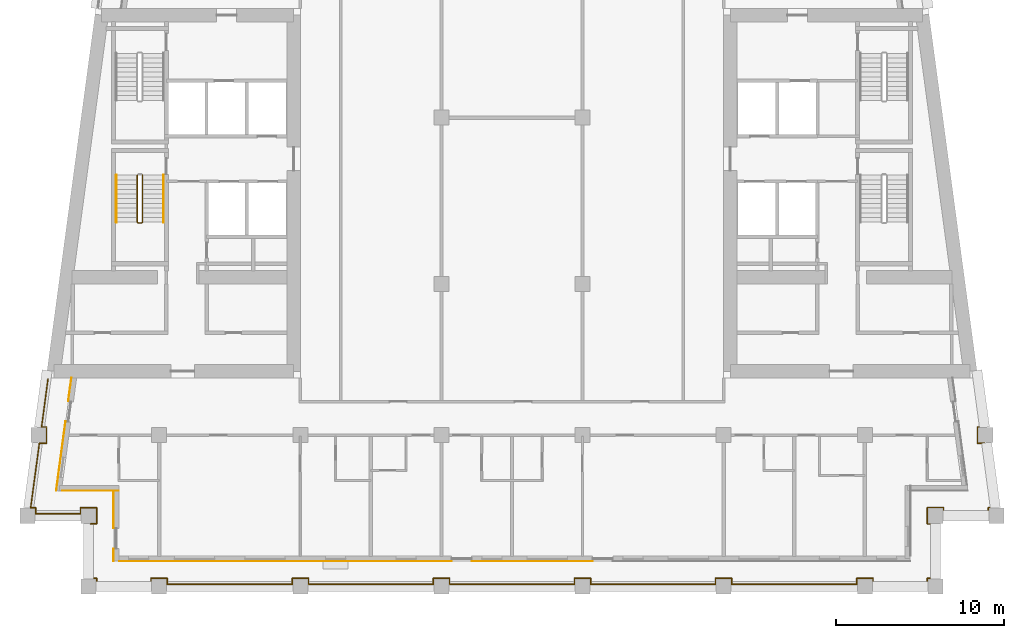
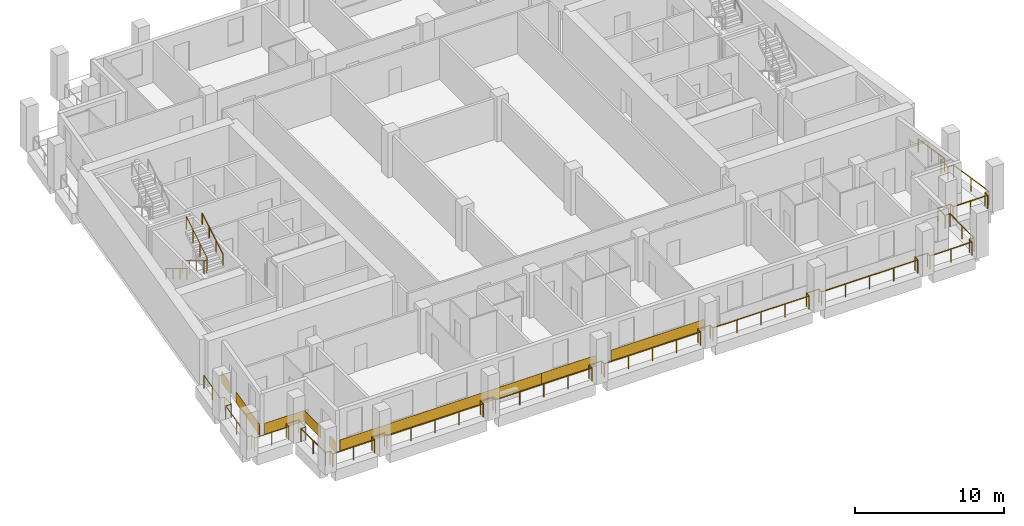
# One storey, part 8 of 12: 8 coverings, 5 railings.
"""IFC4 building model written with IfcOpenShell, lengths in metres."""

from ifc_helpers import new_model, si_unit, direction, frame, origin, origin_2d, place, context, subcontext, project, spatial, rectangle, circle, extrude, material, layer, layer_set, type_object, element, save


model = new_model("IFC4")

# Units and contexts
model_context = context("Model", 3, precision=1e-05, world=origin(), true_north=direction((0.0, 1.0)))
body_context = subcontext(model_context, "Body", "Model", "MODEL_VIEW")
ifc_project = project(units=[si_unit("LENGTHUNIT", "METRE"), si_unit("AREAUNIT", "SQUARE_METRE"), si_unit("VOLUMEUNIT", "CUBIC_METRE"), si_unit("PLANEANGLEUNIT", "RADIAN"), si_unit("MASSUNIT", "GRAM", prefix="KILO")], contexts=[model_context])

# Site, building, storey
site_placement = place(None, origin())
site = spatial("IfcSite", under=ifc_project, at=site_placement, CompositionType="ELEMENT")
building_placement = place(site_placement, origin())
building = spatial("IfcBuilding", under=site, at=building_placement, Name="Candeia Pilgrim Tower and Theatre", CompositionType="ELEMENT")
storey_placement = place(building_placement, frame((0.0, 0.0, 231.800048828125)))
storey = spatial("IfcBuildingStorey", under=building, at=storey_placement, Name="L56", CompositionType="ELEMENT", Elevation=231.800048828125)

# Railings
ifc_material_1 = material(Name="Stainless steel balustrade", Category="steel")
railing_type_1 = type_object("IfcRailingType", Name="G1 loggia guard 1100", PredefinedType="GUARDRAIL", material=ifc_material_1)
railing_1_placement = place(storey_placement, frame((88.320068359375, 101.719970703125, 0.0)))
element("IfcRailing", 1, at=railing_1_placement, inside=storey, type_object=railing_type_1, Name="Guard L56.1", PredefinedType="GUARDRAIL", context=body_context, shape_type="SweptSolid", body=[
    extrude(circle(Radius=0.02392578125, at=origin_2d()), frame((0.0, 0.0, 1.076171875), z_axis=(1.0, 0.0, 0.0), x_axis=(0.0, 1.0, 0.0)), (0.0, 0.0, 1.0), 0.35986328125),
    extrude(circle(Radius=0.02392578125, at=origin_2d()), frame((0.35986328125, 0.0, 1.076171875), z_axis=(0.0, 1.0, 0.0), x_axis=(-1.0, 0.0, 0.0)), (0.0, 0.0, 1.0), 0.9599609375),
    extrude(circle(Radius=0.02392578125, at=origin_2d()), frame((0.35986328125, 0.9599609375, 1.076171875), z_axis=(-1.0, 0.0, 0.0), x_axis=(0.0, -1.0, 0.0)), (0.0, 0.0, 1.0), 0.9599609375),
    extrude(circle(Radius=0.02392578125, at=origin_2d()), frame((-0.60009765625, 0.9599609375, 1.076171875), z_axis=(0.0, -1.0, 0.0), x_axis=(1.0, 0.0, 0.0)), (0.0, 0.0, 1.0), 0.35986328125),
    extrude(circle(Radius=0.02392578125, at=origin_2d()), frame((-0.60009765625, 0.60009765625, 1.076171875), z_axis=(-1.0, 0.0, 0.0), x_axis=(0.0, -1.0, 0.0)), (0.0, 0.0, 1.0), 2.674560546875),
    extrude(circle(Radius=0.02392578125, at=origin_2d()), frame((-3.274658203125, 0.60009765625, 1.076171875), z_axis=(0.0, 1.0, 0.0), x_axis=(-1.0, 0.0, 0.0)), (0.0, 0.0, 1.0), 0.35986328125),
    extrude(circle(Radius=0.02392578125, at=origin_2d()), frame((-3.274658203125, 0.9599609375, 1.076171875), z_axis=(-1.0, 0.0, 0.0), x_axis=(0.0, -1.0, 0.0)), (0.0, 0.0, 1.0), 0.29443359375),
    extrude(circle(Radius=0.02392578125, at=origin_2d()), frame((-3.569091796875, 0.9599609375, 1.076171875), z_axis=(0.133451286285, 0.991055373927, 0.0), x_axis=(-0.991055373927, 0.133451286285, 0.0)), (0.0, 0.0, 1.0), 3.874755859375),
    extrude(circle(Radius=0.02392578125, at=origin_2d()), frame((-3.052001953125, 4.800048828125, 1.076171875), z_axis=(1.0, 0.0, 0.0), x_axis=(0.0, 1.0, 0.0)), (0.0, 0.0, 1.0), 0.423583984375),
    extrude(circle(Radius=0.02392578125, at=origin_2d()), frame((-2.62841796875, 4.800048828125, 1.076171875), z_axis=(0.0, 1.0, 0.0), x_axis=(-1.0, 0.0, 0.0)), (0.0, 0.0, 1.0), 0.9599609375),
    extrude(circle(Radius=0.02392578125, at=origin_2d()), frame((-2.62841796875, 5.760009765625, 1.076171875), z_axis=(-1.0, 0.0, 0.0), x_axis=(0.0, -1.0, 0.0)), (0.0, 0.0, 1.0), 0.29443359375),
    extrude(circle(Radius=0.02392578125, at=origin_2d()), frame((-2.9228515625, 5.760009765625, 1.076171875), z_axis=(0.133450228179, 0.991055516406, 0.0), x_axis=(-0.991055516406, 0.133450228179, 0.0)), (0.0, 0.0, 1.0), 2.89599609375),
    extrude(circle(Radius=0.02099609375, at=origin_2d()), origin(), (0.0, 0.0, 1.0), 1.052001953125),
    extrude(circle(Radius=0.02099609375, at=origin_2d()), frame((0.35986328125, 0.0, 0.0)), (0.0, 0.0, 1.0), 1.052001953125),
    extrude(circle(Radius=0.02099609375, at=origin_2d()), frame((0.35986328125, 0.9599609375, 0.0)), (0.0, 0.0, 1.0), 1.052001953125),
    extrude(circle(Radius=0.02099609375, at=origin_2d()), frame((-0.60009765625, 0.9599609375, 0.0)), (0.0, 0.0, 1.0), 1.052001953125),
    extrude(circle(Radius=0.02099609375, at=origin_2d()), frame((-0.60009765625, 0.60009765625, 0.0)), (0.0, 0.0, 1.0), 1.052001953125),
    extrude(circle(Radius=0.02099609375, at=origin_2d()), frame((-1.9375, 0.60009765625, 0.0)), (0.0, 0.0, 1.0), 1.052001953125),
    extrude(circle(Radius=0.02099609375, at=origin_2d()), frame((-3.274658203125, 0.60009765625, 0.0)), (0.0, 0.0, 1.0), 1.052001953125),
    extrude(circle(Radius=0.02099609375, at=origin_2d()), frame((-3.274658203125, 0.9599609375, 0.0)), (0.0, 0.0, 1.0), 1.052001953125),
    extrude(circle(Radius=0.02099609375, at=origin_2d()), frame((-3.569091796875, 0.9599609375, 0.0)), (0.0, 0.0, 1.0), 1.052001953125),
    extrude(circle(Radius=0.02099609375, at=origin_2d()), frame((-3.310546875, 2.8798828125, 0.0)), (0.0, 0.0, 1.0), 1.052001953125),
    extrude(circle(Radius=0.02099609375, at=origin_2d()), frame((-3.052001953125, 4.800048828125, 0.0)), (0.0, 0.0, 1.0), 1.052001953125),
    extrude(circle(Radius=0.02099609375, at=origin_2d()), frame((-2.62841796875, 4.800048828125, 0.0)), (0.0, 0.0, 1.0), 1.052001953125),
    extrude(circle(Radius=0.02099609375, at=origin_2d()), frame((-2.62841796875, 5.760009765625, 0.0)), (0.0, 0.0, 1.0), 1.052001953125),
    extrude(circle(Radius=0.02099609375, at=origin_2d()), frame((-2.9228515625, 5.760009765625, 0.0)), (0.0, 0.0, 1.0), 1.052001953125),
    extrude(circle(Radius=0.02099609375, at=origin_2d()), frame((-2.7294921875, 7.195068359375, 0.0)), (0.0, 0.0, 1.0), 1.052001953125),
    extrude(circle(Radius=0.02099609375, at=origin_2d()), frame((-2.536376953125, 8.630126953125, 0.0)), (0.0, 0.0, 1.0), 1.052001953125),
])
railing_2_placement = place(storey_placement, frame((141.016357421875, 110.35009765625, 0.0)))
element("IfcRailing", 2, at=railing_2_placement, inside=storey, type_object=railing_type_1, Name="Guard L56.4", PredefinedType="GUARDRAIL", context=body_context, shape_type="SweptSolid", body=[
    extrude(circle(Radius=0.02392578125, at=origin_2d()), frame((0.0, 0.0, 1.076171875), z_axis=(0.133450228179, -0.991055516406, 0.0), x_axis=(0.991055516406, 0.133450228179, 0.0)), (0.0, 0.0, 1.0), 2.89599609375),
    extrude(circle(Radius=0.02392578125, at=origin_2d()), frame((0.386474609375, -2.8701171875, 1.076171875), z_axis=(-1.0, 0.0, 0.0), x_axis=(0.0, -1.0, 0.0)), (0.0, 0.0, 1.0), 0.29443359375),
    extrude(circle(Radius=0.02392578125, at=origin_2d()), frame((0.092041015625, -2.8701171875, 1.076171875), z_axis=(0.0, -1.0, 0.0), x_axis=(1.0, 0.0, 0.0)), (0.0, 0.0, 1.0), 0.9599609375),
    extrude(circle(Radius=0.02392578125, at=origin_2d()), frame((0.092041015625, -3.830078125, 1.076171875), z_axis=(1.0, 0.0, 0.0), x_axis=(0.0, 1.0, 0.0)), (0.0, 0.0, 1.0), 0.423583984375),
    extrude(circle(Radius=0.02392578125, at=origin_2d()), frame((0.515625, -3.830078125, 1.076171875), z_axis=(0.133389399471, -0.991063705374, 0.0), x_axis=(0.991063705374, 0.133389399471, 0.0)), (0.0, 0.0, 1.0), 3.874755859375),
    extrude(circle(Radius=0.02392578125, at=origin_2d()), frame((1.032470703125, -7.670166015625, 1.076171875), z_axis=(-1.0, 0.0, 0.0), x_axis=(0.0, -1.0, 0.0)), (0.0, 0.0, 1.0), 0.294189453125),
    extrude(circle(Radius=0.02392578125, at=origin_2d()), frame((0.73828125, -7.670166015625, 1.076171875), z_axis=(0.0, -1.0, 0.0), x_axis=(1.0, 0.0, 0.0)), (0.0, 0.0, 1.0), 0.35986328125),
    extrude(circle(Radius=0.02392578125, at=origin_2d()), frame((0.73828125, -8.030029296875, 1.076171875), z_axis=(-1.0, 0.0, 0.0), x_axis=(0.0, -1.0, 0.0)), (0.0, 0.0, 1.0), 2.674560546875),
    extrude(circle(Radius=0.02392578125, at=origin_2d()), frame((-1.936279296875, -8.030029296875, 1.076171875), z_axis=(0.0, 1.0, 0.0), x_axis=(-1.0, 0.0, 0.0)), (0.0, 0.0, 1.0), 0.35986328125),
    extrude(circle(Radius=0.02392578125, at=origin_2d()), frame((-1.936279296875, -7.670166015625, 1.076171875), z_axis=(-1.0, 0.0, 0.0), x_axis=(0.0, -1.0, 0.0)), (0.0, 0.0, 1.0), 0.9599609375),
    extrude(circle(Radius=0.02392578125, at=origin_2d()), frame((-2.896240234375, -7.670166015625, 1.076171875), z_axis=(0.0, -1.0, 0.0), x_axis=(1.0, 0.0, 0.0)), (0.0, 0.0, 1.0), 0.9599609375),
    extrude(circle(Radius=0.02392578125, at=origin_2d()), frame((-2.896240234375, -8.630126953125, 1.076171875), z_axis=(1.0, 0.0, 0.0), x_axis=(0.0, 1.0, 0.0)), (0.0, 0.0, 1.0), 0.35986328125),
    extrude(circle(Radius=0.02392578125, at=origin_2d()), frame((-2.536376953125, -8.630126953125, 1.076171875), z_axis=(0.0, -1.0, 0.0), x_axis=(1.0, 0.0, 0.0)), (0.0, 0.0, 1.0), 3.239990234375),
    extrude(circle(Radius=0.02392578125, at=origin_2d()), frame((-2.536376953125, -11.8701171875, 1.076171875), z_axis=(-1.0, 0.0, 0.0), x_axis=(0.0, -1.0, 0.0)), (0.0, 0.0, 1.0), 0.35986328125),
    extrude(circle(Radius=0.02392578125, at=origin_2d()), frame((-2.896240234375, -11.8701171875, 1.076171875), z_axis=(0.0, -1.0, 0.0), x_axis=(1.0, 0.0, 0.0)), (0.0, 0.0, 1.0), 0.35986328125),
    extrude(circle(Radius=0.02392578125, at=origin_2d()), frame((-2.896240234375, -12.22998046875, 1.076171875), z_axis=(-1.0, 0.0, 0.0), x_axis=(0.0, -1.0, 0.0)), (0.0, 0.0, 1.0), 3.240234375),
    extrude(circle(Radius=0.02392578125, at=origin_2d()), frame((-6.136474609375, -12.22998046875, 1.076171875), z_axis=(0.0, 1.0, 0.0), x_axis=(-1.0, 0.0, 0.0)), (0.0, 0.0, 1.0), 0.35986328125),
    extrude(circle(Radius=0.02392578125, at=origin_2d()), frame((-6.136474609375, -11.8701171875, 1.076171875), z_axis=(-1.0, 0.0, 0.0), x_axis=(0.0, -1.0, 0.0)), (0.0, 0.0, 1.0), 0.9599609375),
    extrude(circle(Radius=0.02392578125, at=origin_2d()), frame((-7.096435546875, -11.8701171875, 1.076171875), z_axis=(0.0, -1.0, 0.0), x_axis=(1.0, 0.0, 0.0)), (0.0, 0.0, 1.0), 0.35986328125),
    extrude(circle(Radius=0.02392578125, at=origin_2d()), frame((-7.096435546875, -12.22998046875, 1.076171875), z_axis=(-1.0, 0.0, 0.0), x_axis=(0.0, -1.0, 0.0)), (0.0, 0.0, 1.0), 7.43994140625),
    extrude(circle(Radius=0.02392578125, at=origin_2d()), frame((-14.536376953125, -12.22998046875, 1.076171875), z_axis=(0.0, 1.0, 0.0), x_axis=(-1.0, 0.0, 0.0)), (0.0, 0.0, 1.0), 0.35986328125),
    extrude(circle(Radius=0.02392578125, at=origin_2d()), frame((-14.536376953125, -11.8701171875, 1.076171875), z_axis=(-1.0, 0.0, 0.0), x_axis=(0.0, -1.0, 0.0)), (0.0, 0.0, 1.0), 0.9599609375),
    extrude(circle(Radius=0.02392578125, at=origin_2d()), frame((-15.496337890625, -11.8701171875, 1.076171875), z_axis=(0.0, -1.0, 0.0), x_axis=(1.0, 0.0, 0.0)), (0.0, 0.0, 1.0), 0.35986328125),
    extrude(circle(Radius=0.02392578125, at=origin_2d()), frame((-15.496337890625, -12.22998046875, 1.076171875), z_axis=(-1.0, 0.0, 0.0), x_axis=(0.0, -1.0, 0.0)), (0.0, 0.0, 1.0), 7.43994140625),
    extrude(circle(Radius=0.02392578125, at=origin_2d()), frame((-22.936279296875, -12.22998046875, 1.076171875), z_axis=(0.0, 1.0, 0.0), x_axis=(-1.0, 0.0, 0.0)), (0.0, 0.0, 1.0), 0.35986328125),
    extrude(circle(Radius=0.02392578125, at=origin_2d()), frame((-22.936279296875, -11.8701171875, 1.076171875), z_axis=(-1.0, 0.0, 0.0), x_axis=(0.0, -1.0, 0.0)), (0.0, 0.0, 1.0), 0.9599609375),
    extrude(circle(Radius=0.02392578125, at=origin_2d()), frame((-23.896240234375, -11.8701171875, 1.076171875), z_axis=(0.0, -1.0, 0.0), x_axis=(1.0, 0.0, 0.0)), (0.0, 0.0, 1.0), 0.35986328125),
    extrude(circle(Radius=0.02392578125, at=origin_2d()), frame((-23.896240234375, -12.22998046875, 1.076171875), z_axis=(-1.0, 0.0, 0.0), x_axis=(0.0, -1.0, 0.0)), (0.0, 0.0, 1.0), 7.440185546875),
    extrude(circle(Radius=0.02392578125, at=origin_2d()), frame((-31.33642578125, -12.22998046875, 1.076171875), z_axis=(0.0, 1.0, 0.0), x_axis=(-1.0, 0.0, 0.0)), (0.0, 0.0, 1.0), 0.35986328125),
    extrude(circle(Radius=0.02392578125, at=origin_2d()), frame((-31.33642578125, -11.8701171875, 1.076171875), z_axis=(-1.0, 0.0, 0.0), x_axis=(0.0, -1.0, 0.0)), (0.0, 0.0, 1.0), 0.9599609375),
    extrude(circle(Radius=0.02392578125, at=origin_2d()), frame((-32.29638671875, -11.8701171875, 1.076171875), z_axis=(0.0, -1.0, 0.0), x_axis=(1.0, 0.0, 0.0)), (0.0, 0.0, 1.0), 0.35986328125),
    extrude(circle(Radius=0.02392578125, at=origin_2d()), frame((-32.29638671875, -12.22998046875, 1.076171875), z_axis=(-1.0, 0.0, 0.0), x_axis=(0.0, -1.0, 0.0)), (0.0, 0.0, 1.0), 7.43994140625),
    extrude(circle(Radius=0.02392578125, at=origin_2d()), frame((-39.736328125, -12.22998046875, 1.076171875), z_axis=(0.0, 1.0, 0.0), x_axis=(-1.0, 0.0, 0.0)), (0.0, 0.0, 1.0), 0.35986328125),
    extrude(circle(Radius=0.02392578125, at=origin_2d()), frame((-39.736328125, -11.8701171875, 1.076171875), z_axis=(-1.0, 0.0, 0.0), x_axis=(0.0, -1.0, 0.0)), (0.0, 0.0, 1.0), 0.9599609375),
    extrude(circle(Radius=0.02392578125, at=origin_2d()), frame((-40.6962890625, -11.8701171875, 1.076171875), z_axis=(0.0, -1.0, 0.0), x_axis=(1.0, 0.0, 0.0)), (0.0, 0.0, 1.0), 0.35986328125),
    extrude(circle(Radius=0.02392578125, at=origin_2d()), frame((-40.6962890625, -12.22998046875, 1.076171875), z_axis=(-1.0, 0.0, 0.0), x_axis=(0.0, -1.0, 0.0)), (0.0, 0.0, 1.0), 7.440185546875),
    extrude(circle(Radius=0.02392578125, at=origin_2d()), frame((-48.136474609375, -12.22998046875, 1.076171875), z_axis=(0.0, 1.0, 0.0), x_axis=(-1.0, 0.0, 0.0)), (0.0, 0.0, 1.0), 0.35986328125),
    extrude(circle(Radius=0.02392578125, at=origin_2d()), frame((-48.136474609375, -11.8701171875, 1.076171875), z_axis=(-1.0, 0.0, 0.0), x_axis=(0.0, -1.0, 0.0)), (0.0, 0.0, 1.0), 0.9599609375),
    extrude(circle(Radius=0.02392578125, at=origin_2d()), frame((-49.096435546875, -11.8701171875, 1.076171875), z_axis=(0.0, -1.0, 0.0), x_axis=(1.0, 0.0, 0.0)), (0.0, 0.0, 1.0), 0.35986328125),
    extrude(circle(Radius=0.02392578125, at=origin_2d()), frame((-49.096435546875, -12.22998046875, 1.076171875), z_axis=(-1.0, 0.0, 0.0), x_axis=(0.0, -1.0, 0.0)), (0.0, 0.0, 1.0), 3.239990234375),
    extrude(circle(Radius=0.02392578125, at=origin_2d()), frame((-52.33642578125, -12.22998046875, 1.076171875), z_axis=(0.0, 1.0, 0.0), x_axis=(-1.0, 0.0, 0.0)), (0.0, 0.0, 1.0), 0.35986328125),
    extrude(circle(Radius=0.02392578125, at=origin_2d()), frame((-52.33642578125, -11.8701171875, 1.076171875), z_axis=(-1.0, 0.0, 0.0), x_axis=(0.0, -1.0, 0.0)), (0.0, 0.0, 1.0), 0.35986328125),
    extrude(circle(Radius=0.02392578125, at=origin_2d()), frame((-52.6962890625, -11.8701171875, 1.076171875), z_axis=(0.0, 1.0, 0.0), x_axis=(-1.0, 0.0, 0.0)), (0.0, 0.0, 1.0), 3.239990234375),
    extrude(circle(Radius=0.02099609375, at=origin_2d()), origin(), (0.0, 0.0, 1.0), 1.052001953125),
    extrude(circle(Radius=0.02099609375, at=origin_2d()), frame((0.193359375, -1.43505859375, 0.0)), (0.0, 0.0, 1.0), 1.052001953125),
    extrude(circle(Radius=0.02099609375, at=origin_2d()), frame((0.386474609375, -2.8701171875, 0.0)), (0.0, 0.0, 1.0), 1.052001953125),
    extrude(circle(Radius=0.02099609375, at=origin_2d()), frame((0.092041015625, -2.8701171875, 0.0)), (0.0, 0.0, 1.0), 1.052001953125),
    extrude(circle(Radius=0.02099609375, at=origin_2d()), frame((0.092041015625, -3.830078125, 0.0)), (0.0, 0.0, 1.0), 1.052001953125),
    extrude(circle(Radius=0.02099609375, at=origin_2d()), frame((0.515625, -3.830078125, 0.0)), (0.0, 0.0, 1.0), 1.052001953125),
    extrude(circle(Radius=0.02099609375, at=origin_2d()), frame((0.77392578125, -5.75, 0.0)), (0.0, 0.0, 1.0), 1.052001953125),
    extrude(circle(Radius=0.02099609375, at=origin_2d()), frame((1.032470703125, -7.670166015625, 0.0)), (0.0, 0.0, 1.0), 1.052001953125),
    extrude(circle(Radius=0.02099609375, at=origin_2d()), frame((0.73828125, -7.670166015625, 0.0)), (0.0, 0.0, 1.0), 1.052001953125),
    extrude(circle(Radius=0.02099609375, at=origin_2d()), frame((0.73828125, -8.030029296875, 0.0)), (0.0, 0.0, 1.0), 1.052001953125),
    extrude(circle(Radius=0.02099609375, at=origin_2d()), frame((-0.59912109375, -8.030029296875, 0.0)), (0.0, 0.0, 1.0), 1.052001953125),
    extrude(circle(Radius=0.02099609375, at=origin_2d()), frame((-1.936279296875, -8.030029296875, 0.0)), (0.0, 0.0, 1.0), 1.052001953125),
    extrude(circle(Radius=0.02099609375, at=origin_2d()), frame((-1.936279296875, -7.670166015625, 0.0)), (0.0, 0.0, 1.0), 1.052001953125),
    extrude(circle(Radius=0.02099609375, at=origin_2d()), frame((-2.896240234375, -7.670166015625, 0.0)), (0.0, 0.0, 1.0), 1.052001953125),
    extrude(circle(Radius=0.02099609375, at=origin_2d()), frame((-2.896240234375, -8.630126953125, 0.0)), (0.0, 0.0, 1.0), 1.052001953125),
    extrude(circle(Radius=0.02099609375, at=origin_2d()), frame((-2.536376953125, -8.630126953125, 0.0)), (0.0, 0.0, 1.0), 1.052001953125),
    extrude(circle(Radius=0.02099609375, at=origin_2d()), frame((-2.536376953125, -10.25, 0.0)), (0.0, 0.0, 1.0), 1.052001953125),
    extrude(circle(Radius=0.02099609375, at=origin_2d()), frame((-2.536376953125, -11.8701171875, 0.0)), (0.0, 0.0, 1.0), 1.052001953125),
    extrude(circle(Radius=0.02099609375, at=origin_2d()), frame((-2.896240234375, -11.8701171875, 0.0)), (0.0, 0.0, 1.0), 1.052001953125),
    extrude(circle(Radius=0.02099609375, at=origin_2d()), frame((-2.896240234375, -12.22998046875, 0.0)), (0.0, 0.0, 1.0), 1.052001953125),
    extrude(circle(Radius=0.02099609375, at=origin_2d()), frame((-4.516357421875, -12.22998046875, 0.0)), (0.0, 0.0, 1.0), 1.052001953125),
    extrude(circle(Radius=0.02099609375, at=origin_2d()), frame((-6.136474609375, -12.22998046875, 0.0)), (0.0, 0.0, 1.0), 1.052001953125),
    extrude(circle(Radius=0.02099609375, at=origin_2d()), frame((-6.136474609375, -11.8701171875, 0.0)), (0.0, 0.0, 1.0), 1.052001953125),
    extrude(circle(Radius=0.02099609375, at=origin_2d()), frame((-7.096435546875, -11.8701171875, 0.0)), (0.0, 0.0, 1.0), 1.052001953125),
    extrude(circle(Radius=0.02099609375, at=origin_2d()), frame((-7.096435546875, -12.22998046875, 0.0)), (0.0, 0.0, 1.0), 1.052001953125),
    extrude(circle(Radius=0.02099609375, at=origin_2d()), frame((-8.95654296875, -12.22998046875, 0.0)), (0.0, 0.0, 1.0), 1.052001953125),
    extrude(circle(Radius=0.02099609375, at=origin_2d()), frame((-10.81640625, -12.22998046875, 0.0)), (0.0, 0.0, 1.0), 1.052001953125),
    extrude(circle(Radius=0.02099609375, at=origin_2d()), frame((-12.67626953125, -12.22998046875, 0.0)), (0.0, 0.0, 1.0), 1.052001953125),
    extrude(circle(Radius=0.02099609375, at=origin_2d()), frame((-14.536376953125, -12.22998046875, 0.0)), (0.0, 0.0, 1.0), 1.052001953125),
    extrude(circle(Radius=0.02099609375, at=origin_2d()), frame((-14.536376953125, -11.8701171875, 0.0)), (0.0, 0.0, 1.0), 1.052001953125),
    extrude(circle(Radius=0.02099609375, at=origin_2d()), frame((-15.496337890625, -11.8701171875, 0.0)), (0.0, 0.0, 1.0), 1.052001953125),
    extrude(circle(Radius=0.02099609375, at=origin_2d()), frame((-15.496337890625, -12.22998046875, 0.0)), (0.0, 0.0, 1.0), 1.052001953125),
    extrude(circle(Radius=0.02099609375, at=origin_2d()), frame((-17.3564453125, -12.22998046875, 0.0)), (0.0, 0.0, 1.0), 1.052001953125),
    extrude(circle(Radius=0.02099609375, at=origin_2d()), frame((-19.21630859375, -12.22998046875, 0.0)), (0.0, 0.0, 1.0), 1.052001953125),
    extrude(circle(Radius=0.02099609375, at=origin_2d()), frame((-21.076171875, -12.22998046875, 0.0)), (0.0, 0.0, 1.0), 1.052001953125),
    extrude(circle(Radius=0.02099609375, at=origin_2d()), frame((-22.936279296875, -12.22998046875, 0.0)), (0.0, 0.0, 1.0), 1.052001953125),
    extrude(circle(Radius=0.02099609375, at=origin_2d()), frame((-22.936279296875, -11.8701171875, 0.0)), (0.0, 0.0, 1.0), 1.052001953125),
    extrude(circle(Radius=0.02099609375, at=origin_2d()), frame((-23.896240234375, -11.8701171875, 0.0)), (0.0, 0.0, 1.0), 1.052001953125),
    extrude(circle(Radius=0.02099609375, at=origin_2d()), frame((-23.896240234375, -12.22998046875, 0.0)), (0.0, 0.0, 1.0), 1.052001953125),
    extrude(circle(Radius=0.02099609375, at=origin_2d()), frame((-25.75634765625, -12.22998046875, 0.0)), (0.0, 0.0, 1.0), 1.052001953125),
    extrude(circle(Radius=0.02099609375, at=origin_2d()), frame((-27.6162109375, -12.22998046875, 0.0)), (0.0, 0.0, 1.0), 1.052001953125),
    extrude(circle(Radius=0.02099609375, at=origin_2d()), frame((-29.476318359375, -12.22998046875, 0.0)), (0.0, 0.0, 1.0), 1.052001953125),
    extrude(circle(Radius=0.02099609375, at=origin_2d()), frame((-31.33642578125, -12.22998046875, 0.0)), (0.0, 0.0, 1.0), 1.052001953125),
    extrude(circle(Radius=0.02099609375, at=origin_2d()), frame((-31.33642578125, -11.8701171875, 0.0)), (0.0, 0.0, 1.0), 1.052001953125),
    extrude(circle(Radius=0.02099609375, at=origin_2d()), frame((-32.29638671875, -11.8701171875, 0.0)), (0.0, 0.0, 1.0), 1.052001953125),
    extrude(circle(Radius=0.02099609375, at=origin_2d()), frame((-32.29638671875, -12.22998046875, 0.0)), (0.0, 0.0, 1.0), 1.052001953125),
    extrude(circle(Radius=0.02099609375, at=origin_2d()), frame((-34.15625, -12.22998046875, 0.0)), (0.0, 0.0, 1.0), 1.052001953125),
    extrude(circle(Radius=0.02099609375, at=origin_2d()), frame((-36.016357421875, -12.22998046875, 0.0)), (0.0, 0.0, 1.0), 1.052001953125),
    extrude(circle(Radius=0.02099609375, at=origin_2d()), frame((-37.87646484375, -12.22998046875, 0.0)), (0.0, 0.0, 1.0), 1.052001953125),
    extrude(circle(Radius=0.02099609375, at=origin_2d()), frame((-39.736328125, -12.22998046875, 0.0)), (0.0, 0.0, 1.0), 1.052001953125),
    extrude(circle(Radius=0.02099609375, at=origin_2d()), frame((-39.736328125, -11.8701171875, 0.0)), (0.0, 0.0, 1.0), 1.052001953125),
    extrude(circle(Radius=0.02099609375, at=origin_2d()), frame((-40.6962890625, -11.8701171875, 0.0)), (0.0, 0.0, 1.0), 1.052001953125),
    extrude(circle(Radius=0.02099609375, at=origin_2d()), frame((-40.6962890625, -12.22998046875, 0.0)), (0.0, 0.0, 1.0), 1.052001953125),
    extrude(circle(Radius=0.02099609375, at=origin_2d()), frame((-42.556396484375, -12.22998046875, 0.0)), (0.0, 0.0, 1.0), 1.052001953125),
    extrude(circle(Radius=0.02099609375, at=origin_2d()), frame((-44.41650390625, -12.22998046875, 0.0)), (0.0, 0.0, 1.0), 1.052001953125),
    extrude(circle(Radius=0.02099609375, at=origin_2d()), frame((-46.2763671875, -12.22998046875, 0.0)), (0.0, 0.0, 1.0), 1.052001953125),
    extrude(circle(Radius=0.02099609375, at=origin_2d()), frame((-48.136474609375, -12.22998046875, 0.0)), (0.0, 0.0, 1.0), 1.052001953125),
    extrude(circle(Radius=0.02099609375, at=origin_2d()), frame((-48.136474609375, -11.8701171875, 0.0)), (0.0, 0.0, 1.0), 1.052001953125),
    extrude(circle(Radius=0.02099609375, at=origin_2d()), frame((-49.096435546875, -11.8701171875, 0.0)), (0.0, 0.0, 1.0), 1.052001953125),
    extrude(circle(Radius=0.02099609375, at=origin_2d()), frame((-49.096435546875, -12.22998046875, 0.0)), (0.0, 0.0, 1.0), 1.052001953125),
    extrude(circle(Radius=0.02099609375, at=origin_2d()), frame((-50.71630859375, -12.22998046875, 0.0)), (0.0, 0.0, 1.0), 1.052001953125),
    extrude(circle(Radius=0.02099609375, at=origin_2d()), frame((-52.33642578125, -12.22998046875, 0.0)), (0.0, 0.0, 1.0), 1.052001953125),
    extrude(circle(Radius=0.02099609375, at=origin_2d()), frame((-52.33642578125, -11.8701171875, 0.0)), (0.0, 0.0, 1.0), 1.052001953125),
    extrude(circle(Radius=0.02099609375, at=origin_2d()), frame((-52.6962890625, -11.8701171875, 0.0)), (0.0, 0.0, 1.0), 1.052001953125),
    extrude(circle(Radius=0.02099609375, at=origin_2d()), frame((-52.6962890625, -10.25, 0.0)), (0.0, 0.0, 1.0), 1.052001953125),
    extrude(circle(Radius=0.02099609375, at=origin_2d()), frame((-52.6962890625, -8.630126953125, 0.0)), (0.0, 0.0, 1.0), 1.052001953125),
])

# Coverings
ifc_material_2 = material(Name="Glazed ceramic tile bottle green")
ifc_layer_1 = layer(ifc_material_2, 0.02001953125)
ifc_layer_set_1 = layer_set([ifc_layer_1], Name="Glazed ceramic tile bottle green")
covering_type_1 = type_object("IfcCoveringType", Name="Glazed ceramic tile bottle green", PredefinedType="CLADDING", material=ifc_layer_set_1)
covering_1_placement = place(storey_placement, frame((107.699951171875, 99.489990234375, 0.0), z_axis=(0.0, 0.0, 1.0), x_axis=(1.0, 0.0, 0.0)))
element("IfcCovering", 3, at=covering_1_placement, inside=storey, type_object=covering_type_1, Name="Tile cladding bottle green L56", PredefinedType="CLADDING", context=body_context, shape_type="SweptSolid", body=[
    extrude(rectangle(XDim=4.199951171875, YDim=0.02001953125, at=origin_2d()), origin(), (0.0, 0.0, 1.0), 0.89990234375),
])
covering_2_placement = place(storey_placement, frame((114.60009765625, 99.489990234375, 0.0), z_axis=(0.0, 0.0, 1.0), x_axis=(1.0, 0.0, 0.0)))
element("IfcCovering", 4, at=covering_2_placement, inside=storey, type_object=covering_type_1, Name="Tile cladding bottle green L56", PredefinedType="CLADDING", context=body_context, shape_type="SweptSolid", body=[
    extrude(rectangle(XDim=7.199951171875, YDim=0.02001953125, at=origin_2d()), origin(), (0.0, 0.0, 1.0), 0.89990234375),
])
ifc_material_3 = material(Name="Glazed ceramic tile rust")
ifc_layer_2 = layer(ifc_material_3, 0.02001953125)
ifc_layer_set_2 = layer_set([ifc_layer_2], Name="Glazed ceramic tile rust")
covering_type_2 = type_object("IfcCoveringType", Name="Glazed ceramic tile rust", PredefinedType="CLADDING", material=ifc_layer_set_2)
covering_3_placement = place(storey_placement, frame((97.81005859375, 99.489990234375, 0.0), z_axis=(0.0, 0.0, 1.0), x_axis=(1.0, 0.0, 0.0)))
element("IfcCovering", 5, at=covering_3_placement, inside=storey, type_object=covering_type_2, Name="Tile cladding rust L56", PredefinedType="CLADDING", context=body_context, shape_type="SweptSolid", body=[
    extrude(rectangle(XDim=15.580078125, YDim=0.02001953125, at=origin_2d()), origin(), (0.0, 0.0, 1.0), 0.89990234375),
])
covering_4_placement = place(storey_placement, frame((87.0810546875, 109.71875, 0.0), z_axis=(0.0, 0.0, 1.0), x_axis=(-0.133412012145, -0.991060661622, 0.0)))
element("IfcCovering", 6, at=covering_4_placement, inside=storey, type_object=covering_type_2, Name="Tile cladding rust L56", PredefinedType="CLADDING", context=body_context, shape_type="SweptSolid", body=[
    extrude(rectangle(XDim=1.41796875, YDim=0.02001953125, at=origin_2d()), origin(), (0.0, 0.0, 1.0), 0.89990234375),
])
covering_5_placement = place(storey_placement, frame((86.548583984375, 105.763916015625, 0.0), z_axis=(0.0, 0.0, 1.0), x_axis=(-0.133412012145, -0.991060661622, 0.0)))
element("IfcCovering", 7, at=covering_5_placement, inside=storey, type_object=covering_type_2, Name="Tile cladding rust L56", PredefinedType="CLADDING", context=body_context, shape_type="SweptSolid", body=[
    extrude(rectangle(XDim=4.16259765625, YDim=0.02001953125, at=origin_2d()), origin(), (0.0, 0.0, 1.0), 0.89990234375),
])
covering_6_placement = place(storey_placement, frame((88.311279296875, 103.68994140625, 0.0), z_axis=(0.0, 0.0, 1.0), x_axis=(1.0, 0.0, 0.0)))
element("IfcCovering", 8, at=covering_6_placement, inside=storey, type_object=covering_type_2, Name="Tile cladding rust L56", PredefinedType="CLADDING", context=body_context, shape_type="SweptSolid", body=[
    extrude(rectangle(XDim=3.377685546875, YDim=0.02001953125, at=origin_2d()), origin(), (0.0, 0.0, 1.0), 0.89990234375),
])
covering_7_placement = place(storey_placement, frame((89.68994140625, 102.56494140625, 0.0), z_axis=(0.0, 0.0, 1.0), x_axis=(0.0, -1.0, 0.0)))
element("IfcCovering", 9, at=covering_7_placement, inside=storey, type_object=covering_type_2, Name="Tile cladding rust L56", PredefinedType="CLADDING", context=body_context, shape_type="SweptSolid", body=[
    extrude(rectangle(XDim=2.22998046875, YDim=0.02001953125, at=origin_2d()), origin(), (0.0, 0.0, 1.0), 0.89990234375),
])
covering_8_placement = place(storey_placement, frame((89.68994140625, 99.875, 0.0), z_axis=(0.0, 0.0, 1.0), x_axis=(0.0, -1.0, 0.0)))
element("IfcCovering", 10, at=covering_8_placement, inside=storey, type_object=covering_type_2, Name="Tile cladding rust L56", PredefinedType="CLADDING", context=body_context, shape_type="SweptSolid", body=[
    extrude(rectangle(XDim=0.75, YDim=0.02001953125, at=origin_2d()), origin(), (0.0, 0.0, 1.0), 0.89990234375),
])

# Railings
railing_type_2 = type_object("IfcRailingType", Name="RL-GUARD-1100", PredefinedType="GUARDRAIL", material=ifc_material_1)
railing_3_placement = place(storey_placement, frame((91.10205078125, 122.47509765625, 0.168212890625)))
element("IfcRailing", 11, at=railing_3_placement, inside=storey, type_object=railing_type_2, Name="L56 ST1 stair guard 1", PredefinedType="GUARDRAIL", context=body_context, shape_type="SweptSolid", body=[
    extrude(circle(Radius=0.02392578125, at=origin_2d()), frame((0.0, 0.0, 1.076171875), z_axis=(0.0, -0.857275202839, 0.514858452973), x_axis=(1.0, 0.0, 0.0)), (0.0, 0.0, 1.0), 3.26611328125),
    extrude(circle(Radius=0.02392578125, at=origin_2d()), frame((0.0, -2.800048828125, 2.7578125), z_axis=(0.707106781187, -0.707106781187, 0.0), x_axis=(0.707106781187, 0.707106781187, 0.0)), (0.0, 0.0, 1.0), 0.07080078125),
    extrude(circle(Radius=0.02392578125, at=origin_2d()), frame((0.050048828125, -2.85009765625, 2.7578125), z_axis=(1.0, 0.0, 0.0), x_axis=(0.0, 1.0, 0.0)), (0.0, 0.0, 1.0), 0.199951171875),
    extrude(circle(Radius=0.02392578125, at=origin_2d()), frame((0.25, -2.85009765625, 2.7578125), z_axis=(0.274243871929, 0.274243871929, 0.92172696468), x_axis=(-0.707106781187, 0.707106781187, 0.0)), (0.0, 0.0, 1.0), 0.1826171875),
    extrude(circle(Radius=0.02392578125, at=origin_2d()), frame((0.300048828125, -2.800048828125, 2.92578125), z_axis=(0.0, 0.857242210791, 0.514913383045), x_axis=(-1.0, 0.0, 0.0)), (0.0, 0.0, 1.0), 3.266357421875),
    extrude(circle(Radius=0.02099609375, at=origin_2d()), origin(), (0.0, 0.0, 1.0), 1.052001953125),
    extrude(circle(Radius=0.02099609375, at=origin_2d()), frame((0.0, -0.933349609375, 0.560546875)), (0.0, 0.0, 1.0), 1.052001953125),
    extrude(circle(Radius=0.02099609375, at=origin_2d()), frame((0.0, -1.86669921875, 1.12109375)), (0.0, 0.0, 1.0), 1.052001953125),
    extrude(circle(Radius=0.02099609375, at=origin_2d()), frame((0.0, -2.800048828125, 1.681640625)), (0.0, 0.0, 1.0), 1.052001953125),
    extrude(circle(Radius=0.02099609375, at=origin_2d()), frame((0.050048828125, -2.85009765625, 1.681640625)), (0.0, 0.0, 1.0), 1.052001953125),
    extrude(circle(Radius=0.02099609375, at=origin_2d()), frame((0.25, -2.85009765625, 1.681640625)), (0.0, 0.0, 1.0), 1.052001953125),
    extrude(circle(Radius=0.02099609375, at=origin_2d()), frame((0.300048828125, -2.800048828125, 1.849853515625)), (0.0, 0.0, 1.0), 1.052001953125),
    extrude(circle(Radius=0.02099609375, at=origin_2d()), frame((0.300048828125, -1.86669921875, 2.410400390625)), (0.0, 0.0, 1.0), 1.052001953125),
    extrude(circle(Radius=0.02099609375, at=origin_2d()), frame((0.300048828125, -0.933349609375, 2.97119140625)), (0.0, 0.0, 1.0), 1.052001953125),
    extrude(circle(Radius=0.02099609375, at=origin_2d()), frame((0.300048828125, 0.0, 3.53173828125)), (0.0, 0.0, 1.0), 1.052001953125),
])
ifc_material_4 = material(Name="Stainless steel handrail", Category="steel")
railing_type_3 = type_object("IfcRailingType", Name="RL-HANDRAIL-900", PredefinedType="HANDRAIL", material=ifc_material_4)
railing_4_placement = place(storey_placement, frame((89.85205078125, 122.47509765625, 0.168212890625)))
element("IfcRailing", 12, at=railing_4_placement, inside=storey, type_object=railing_type_3, Name="L56 ST1 stair handrail 1", PredefinedType="HANDRAIL", context=body_context, shape_type="SweptSolid", body=[
    extrude(circle(Radius=0.02392578125, at=origin_2d()), frame((0.0, 0.0, 0.8759765625), z_axis=(0.0, -0.857275202839, 0.514858452973), x_axis=(1.0, 0.0, 0.0)), (0.0, 0.0, 1.0), 3.26611328125),
    extrude(circle(Radius=0.02099609375, at=origin_2d()), origin(), (0.0, 0.0, 1.0), 0.851806640625),
    extrude(circle(Radius=0.02099609375, at=origin_2d()), frame((0.0, -0.933349609375, 0.560546875)), (0.0, 0.0, 1.0), 0.851806640625),
    extrude(circle(Radius=0.02099609375, at=origin_2d()), frame((0.0, -1.86669921875, 1.12109375)), (0.0, 0.0, 1.0), 0.851806640625),
    extrude(circle(Radius=0.02099609375, at=origin_2d()), frame((0.0, -2.800048828125, 1.681640625)), (0.0, 0.0, 1.0), 0.851806640625),
])
railing_5_placement = place(storey_placement, frame((92.652099609375, 119.675048828125, 2.01806640625)))
element("IfcRailing", 13, at=railing_5_placement, inside=storey, type_object=railing_type_3, Name="L56 ST1 stair handrail 2", PredefinedType="HANDRAIL", context=body_context, shape_type="SweptSolid", body=[
    extrude(circle(Radius=0.02392578125, at=origin_2d()), frame((0.0, 0.0, 0.8759765625), z_axis=(0.0, 0.857242210791, 0.514913383045), x_axis=(-1.0, 0.0, 0.0)), (0.0, 0.0, 1.0), 3.266357421875),
    extrude(circle(Radius=0.02099609375, at=origin_2d()), origin(), (0.0, 0.0, 1.0), 0.851806640625),
    extrude(circle(Radius=0.02099609375, at=origin_2d()), frame((0.0, 0.933349609375, 0.560546875)), (0.0, 0.0, 1.0), 0.851806640625),
    extrude(circle(Radius=0.02099609375, at=origin_2d()), frame((0.0, 1.86669921875, 1.121337890625)), (0.0, 0.0, 1.0), 0.851806640625),
    extrude(circle(Radius=0.02099609375, at=origin_2d()), frame((0.0, 2.800048828125, 1.681884765625)), (0.0, 0.0, 1.0), 0.851806640625),
])

save(model, "model.ifc")
